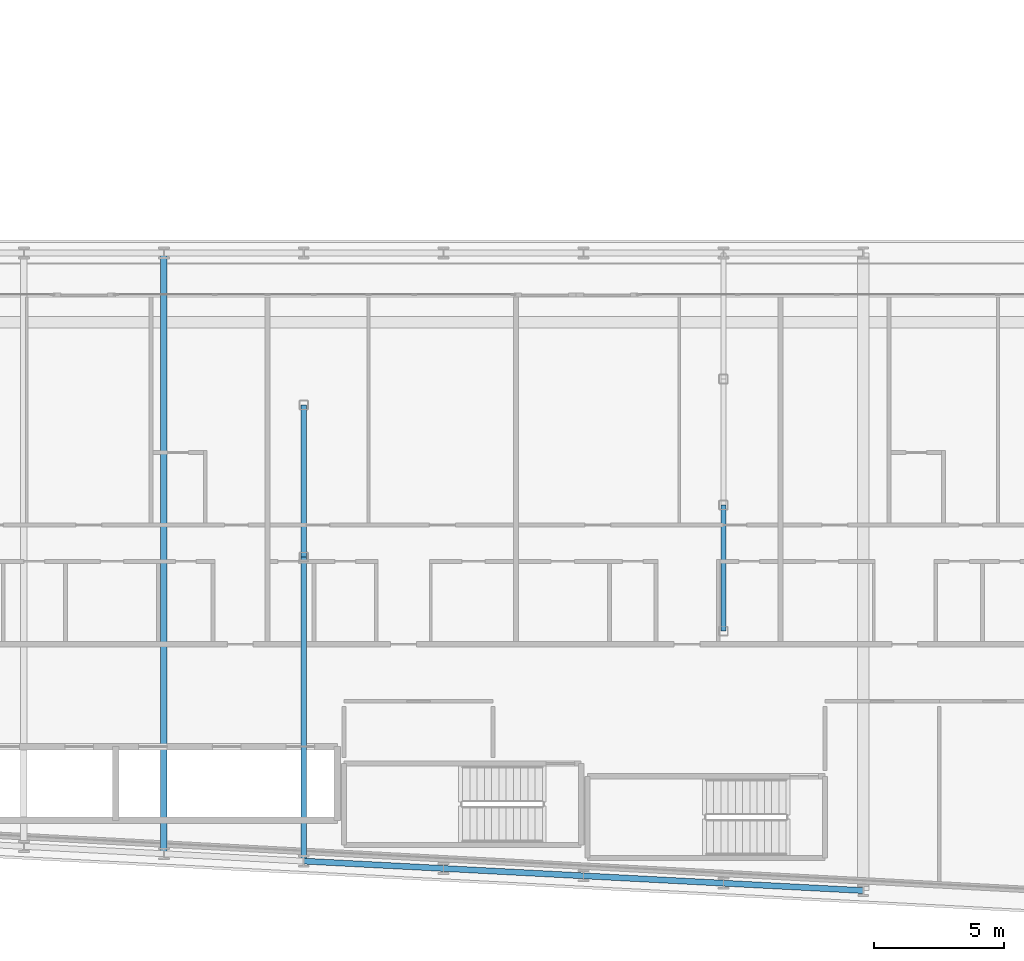
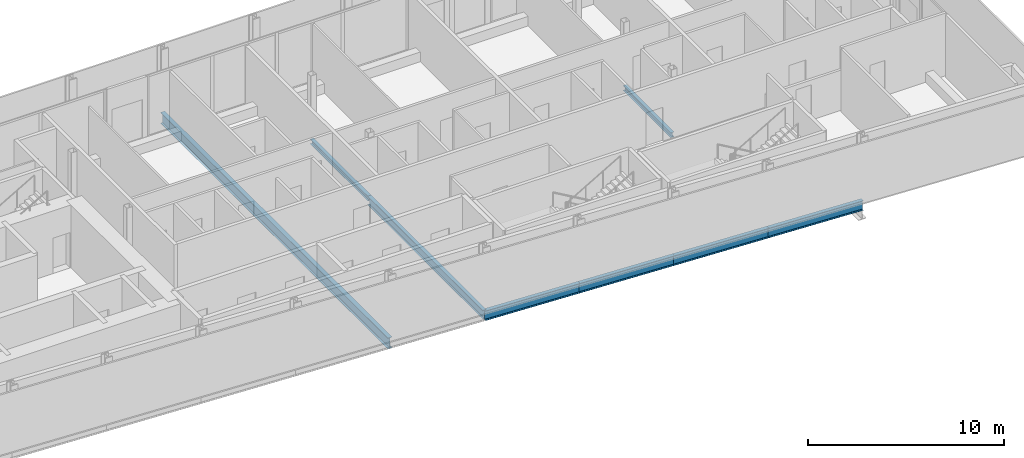
# One storey, part 5 of 26: 8 beams.
"""IFC4 building model written with IfcOpenShell, lengths in metres."""

from ifc_helpers import new_model, si_unit, direction, frame, origin, origin_2d, place, context, subcontext, project, spatial, i_section, extrude, material, material_profile, profile_set, type_object, element, save


model = new_model("IFC4")

# Units and contexts
model_context = context("Model", 3, precision=1e-05, world=origin(), true_north=direction((0.0, 1.0)))
body_context = subcontext(model_context, "Body", "Model", "MODEL_VIEW")
ifc_project = project(units=[si_unit("LENGTHUNIT", "METRE"), si_unit("AREAUNIT", "SQUARE_METRE"), si_unit("VOLUMEUNIT", "CUBIC_METRE"), si_unit("PLANEANGLEUNIT", "RADIAN"), si_unit("MASSUNIT", "GRAM", prefix="KILO")], contexts=[model_context])

# Site, building, storey
site_placement = place(None, origin())
site = spatial("IfcSite", under=ifc_project, at=site_placement, CompositionType="ELEMENT")
building_placement = place(site_placement, origin())
building = spatial("IfcBuilding", under=site, at=building_placement, Name="Kheshtan School and Residences Tower", CompositionType="ELEMENT")
storey_placement = place(building_placement, frame((0.0, 0.0, 105.800048828125)))
storey = spatial("IfcBuildingStorey", under=building, at=storey_placement, Name="L24", CompositionType="ELEMENT", Elevation=105.800048828125)

# Beams
ifc_material = material(Name="Steel ASTM A992 Grade 50", Category="steel")
ifc_material_profile_1 = material_profile(ifc_material, i_section(OverallWidth=0.202880859375, OverallDepth=0.302978515625, WebThickness=0.007568359375, FlangeThickness=0.01318359375, FilletRadius=0.009033203125, at=origin_2d()), Name="W310x60")
ifc_profile_set_1 = profile_set([ifc_material_profile_1], Name="Steel ASTM A992 Grade 50")
beam_type_1 = type_object("IfcBeamType", Name="Beam FB1 W310x60 ASTM A992 Grade 50", PredefinedType="BEAM", material=ifc_profile_set_1)
beam_1_placement = place(storey_placement, frame((85.39990234375, 31.0048828125, -0.301513671875), z_axis=(0.0, 1.0, 0.0), x_axis=(-1.0, 0.0, 0.0)))
element("IfcBeam", 1, at=beam_1_placement, inside=storey, type_object=beam_type_1, Name="Floor beam IC", PredefinedType="BEAM", context=body_context, shape_type="SweptSolid", body=[
    extrude(i_section(OverallWidth=0.202880859375, OverallDepth=0.302978515625, WebThickness=0.007568359375, FlangeThickness=0.01318359375, FilletRadius=0.009033203125, at=origin_2d()), origin(), (0.0, 0.0, 1.0), 4.865234375),
])
beam_2_placement = place(storey_placement, frame((69.199951171875, 33.863037109375, -0.301513671875), z_axis=(0.0, 1.0, 0.0), x_axis=(-1.0, 0.0, 0.0)))
element("IfcBeam", 2, at=beam_2_placement, inside=storey, type_object=beam_type_1, Name="Floor beam IC", PredefinedType="BEAM", context=body_context, shape_type="SweptSolid", body=[
    extrude(i_section(OverallWidth=0.202880859375, OverallDepth=0.302978515625, WebThickness=0.007568359375, FlangeThickness=0.01318359375, FilletRadius=0.009033203125, at=origin_2d()), origin(), (0.0, 0.0, 1.0), 5.868896484375),
])
ifc_material_profile_2 = material_profile(ifc_material, i_section(OverallWidth=0.208984375, OverallDepth=0.532958984375, WebThickness=0.01025390625, FlangeThickness=0.015625, FilletRadius=0.013916015625, at=origin_2d()), Name="W530x92")
ifc_profile_set_2 = profile_set([ifc_material_profile_2], Name="Steel ASTM A992 Grade 50")
beam_type_2 = type_object("IfcBeamType", Name="Beam FB4 W530x92 ASTM A992 Grade 50", PredefinedType="BEAM", material=ifc_profile_set_2)
beam_3_placement = place(storey_placement, frame((69.199951171875, 22.126953125, -0.41650390625), z_axis=(0.0, 1.0, 0.0), x_axis=(-1.0, 0.0, 0.0)))
element("IfcBeam", 3, at=beam_3_placement, inside=storey, type_object=beam_type_2, Name="Floor beam C014", PredefinedType="BEAM", context=body_context, shape_type="SweptSolid", body=[
    extrude(i_section(OverallWidth=0.208984375, OverallDepth=0.532958984375, WebThickness=0.01025390625, FlangeThickness=0.015625, FilletRadius=0.013916015625, at=origin_2d()), origin(), (0.0, 0.0, 1.0), 11.736083984375),
])
ifc_material_profile_3 = material_profile(ifc_material, i_section(OverallWidth=0.2529296875, OverallDepth=0.677978515625, WebThickness=0.01171875, FlangeThickness=0.016357421875, FilletRadius=0.0146484375, at=origin_2d()), Name="W690x125")
ifc_profile_set_3 = profile_set([ifc_material_profile_3], Name="Steel ASTM A992 Grade 50")
beam_type_3 = type_object("IfcBeamType", Name="Beam FB6 W690x125 ASTM A992 Grade 50", PredefinedType="BEAM", material=ifc_profile_set_3)
beam_4_placement = place(storey_placement, frame((63.800048828125, 45.60009765625, -0.489013671875), z_axis=(0.0, -1.0, 0.0), x_axis=(1.0, 0.0, 0.0)))
element("IfcBeam", 4, at=beam_4_placement, inside=storey, type_object=beam_type_3, Name="Floor beam C063", PredefinedType="BEAM", context=body_context, shape_type="SweptSolid", body=[
    extrude(i_section(OverallWidth=0.2529296875, OverallDepth=0.677978515625, WebThickness=0.01171875, FlangeThickness=0.016357421875, FilletRadius=0.0146484375, at=origin_2d()), origin(), (0.0, 0.0, 1.0), 23.189208984375),
])
ifc_material_profile_4 = material_profile(ifc_material, i_section(OverallWidth=0.22802734375, OverallDepth=0.60302734375, WebThickness=0.010498046875, FlangeThickness=0.014892578125, FilletRadius=0.013427734375, at=origin_2d()), Name="W610x101")
ifc_profile_set_4 = profile_set([ifc_material_profile_4], Name="Steel ASTM A992 Grade 50")
beam_type_4 = type_object("IfcBeamType", Name="Beam SP2 W610x101 ASTM A992 Grade 50", PredefinedType="BEAM", material=ifc_profile_set_4)
beam_5_placement = place(storey_placement, frame((90.800048828125, 20.989990234375, -0.45166015625), z_axis=(-0.998620571751, 0.05250670125, 0.0), x_axis=(-0.05250670125, -0.998620571751, 0.0)))
element("IfcBeam", 5, at=beam_5_placement, inside=storey, type_object=beam_type_4, Name="Spandrel beam C006-C008", PredefinedType="BEAM", context=body_context, shape_type="SweptSolid", body=[
    extrude(i_section(OverallWidth=0.22802734375, OverallDepth=0.60302734375, WebThickness=0.010498046875, FlangeThickness=0.014892578125, FilletRadius=0.013427734375, at=origin_2d()), origin(), (0.0, 0.0, 1.0), 5.40771484375),
])
for number, where, z_axis, x_axis, name in (
    (6, (85.39990234375, 21.27392578125, -0.45166015625), (-0.998618078766, 0.052554093665, 0.0), (-0.052554093665, -0.998618078766, 0.0), "Spandrel beam C008-C012"),
    (7, (80.0, 21.55810546875, -0.45166015625), (-0.998610961136, 0.052689166816, 0.0), (-0.052689166816, -0.998610961136, 0.0), "Spandrel beam C012-C013"),
):
    element("IfcBeam", number, at=place(storey_placement, frame(where, z_axis=z_axis, x_axis=x_axis)), inside=storey, type_object=beam_type_4, Name=name, PredefinedType="BEAM", context=body_context, shape_type="SweptSolid", body=[
        extrude(i_section(OverallWidth=0.22802734375, OverallDepth=0.60302734375, WebThickness=0.010498046875, FlangeThickness=0.014892578125, FilletRadius=0.013427734375, at=origin_2d()), origin(), (0.0, 0.0, 1.0), 5.407470703125),
    ])
beam_6_placement = place(storey_placement, frame((74.60009765625, 21.843017578125, -0.45166015625), z_axis=(-0.998620571751, 0.05250670125, 0.0), x_axis=(-0.05250670125, -0.998620571751, 0.0)))
element("IfcBeam", 8, at=beam_6_placement, inside=storey, type_object=beam_type_4, Name="Spandrel beam C013-C014", PredefinedType="BEAM", context=body_context, shape_type="SweptSolid", body=[
    extrude(i_section(OverallWidth=0.22802734375, OverallDepth=0.60302734375, WebThickness=0.010498046875, FlangeThickness=0.014892578125, FilletRadius=0.013427734375, at=origin_2d()), origin(), (0.0, 0.0, 1.0), 5.40771484375),
])

save(model, "model.ifc")
